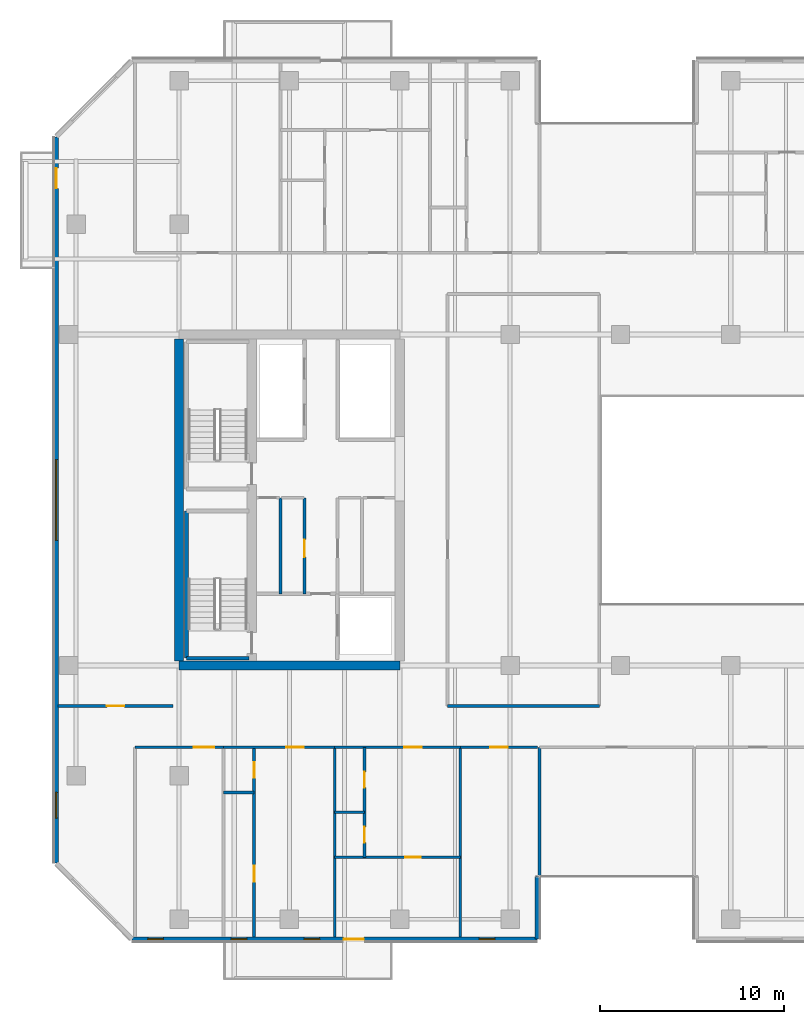
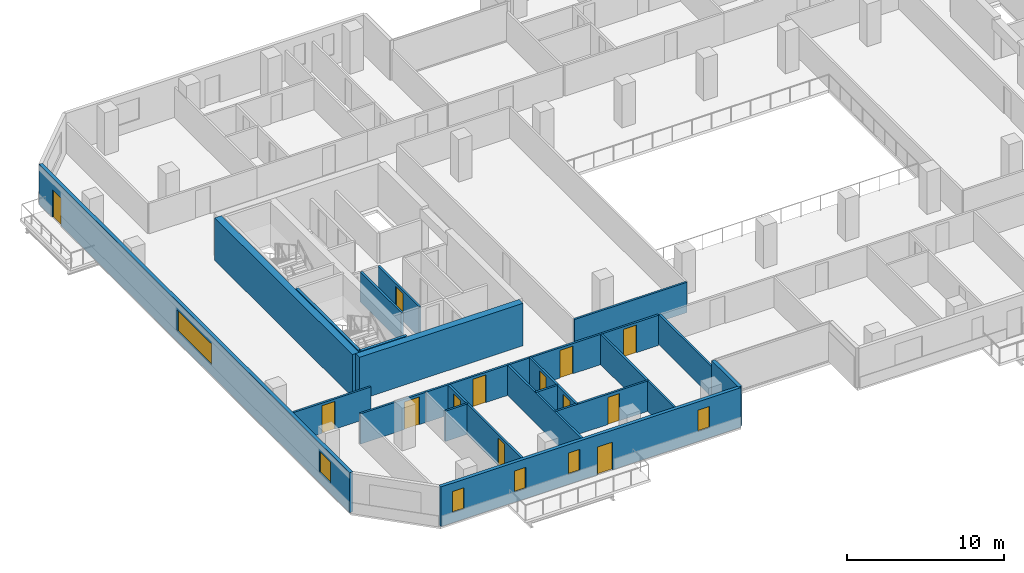
# One storey, part 10 of 23: 23 walls, 13 doors, 6 windows, 19 openings.
"""IFC4 building model written with IfcOpenShell, lengths in metres."""

from ifc_helpers import new_model, si_unit, direction, frame, frame_2d, origin, place, context, subcontext, project, spatial, rectangle, extrude, material, layer, layer_set, type_object, element, fill, save


model = new_model("IFC4")

# Units and contexts
model_context = context("Model", 3, precision=1e-05, world=origin(), true_north=direction((0.0, 1.0)))
body_context = subcontext(model_context, "Body", "Model", "MODEL_VIEW")
ifc_project = project(units=[si_unit("LENGTHUNIT", "METRE"), si_unit("AREAUNIT", "SQUARE_METRE"), si_unit("VOLUMEUNIT", "CUBIC_METRE"), si_unit("PLANEANGLEUNIT", "RADIAN"), si_unit("MASSUNIT", "GRAM", prefix="KILO")], contexts=[model_context])

# Site, building, storey
site_placement = place(None, origin())
site = spatial("IfcSite", under=ifc_project, at=site_placement, CompositionType="ELEMENT")
building_placement = place(site_placement, origin())
building = spatial("IfcBuilding", under=site, at=building_placement, Name="Tanjung Sevakor Pilgrim Tower", CompositionType="ELEMENT")
storey_placement = place(building_placement, frame((0.0, 0.0, 85.469970703125)))
storey = spatial("IfcBuildingStorey", under=building, at=storey_placement, Name="L23", CompositionType="ELEMENT", Elevation=85.469970703125)

# Walls
ifc_material_1 = material(Name="Concrete C60/75", Category="concrete")
ifc_layer_1 = layer(ifc_material_1, 0.5)
ifc_layer_set_1 = layer_set([ifc_layer_1], Name="WALL-CW-500")
wall_type_1 = type_object("IfcWallType", Name="WALL-CW-500", PredefinedType="SHEAR", material=ifc_layer_set_1)
wall_1_placement = place(storey_placement, frame((24.0, 24.60009765625, 0.0), z_axis=(0.0, 0.0, 1.0), x_axis=(1.0, 0.0, 0.0)))
element("IfcWall", 1, at=wall_1_placement, inside=storey, type_object=wall_type_1, Name="L23 W Core South Shear Wall", PredefinedType="SHEAR", context=body_context, shape_type="SweptSolid", body=[
    extrude(rectangle(XDim=12.0, YDim=0.5, at=frame_2d((6.0, 0.0))), origin(), (0.0, 0.0, 1.0), 3.300048828125),
])
wall_2_placement = place(storey_placement, frame((24.0, 24.85009765625, 0.0), z_axis=(0.0, 0.0, 1.0), x_axis=(0.0, 1.0, 0.0)))
element("IfcWall", 2, at=wall_2_placement, inside=storey, type_object=wall_type_1, Name="L23 W Core Outer Shear Wall", PredefinedType="SHEAR", context=body_context, shape_type="SweptSolid", body=[
    extrude(rectangle(XDim=17.5, YDim=0.5, at=frame_2d((8.75, 0.0))), origin(), (0.0, 0.0, 1.0), 3.300048828125),
])
ifc_material_2 = material(Name="Concrete C40/50", Category="concrete")
ifc_layer_2 = layer(ifc_material_2, 0.14990234375)
ifc_layer_set_2 = layer_set([ifc_layer_2], Name="WT-COMP-150")
wall_type_2 = type_object("IfcWallType", Name="WT-COMP-150", PredefinedType="SOLIDWALL", material=ifc_layer_set_2)
wall_3_placement = place(storey_placement, frame((29.52001953125, 28.5, 0.0), z_axis=(0.0, 0.0, 1.0), x_axis=(0.0, 1.0, 0.0)))
element("IfcWall", 3, at=wall_3_placement, inside=storey, type_object=wall_type_2, Name="L23 Partition IW-L23-003", PredefinedType="SOLIDWALL", context=body_context, shape_type="SweptSolid", body=[
    extrude(rectangle(XDim=5.219970703125, YDim=0.14990234375, at=frame_2d((2.60986328125, 0.0))), origin(), (0.0, 0.0, 1.0), 2.35009765625),
])

# Wall, opening, door
wall_4_placement = place(storey_placement, frame((30.820068359375, 28.5, 0.0), z_axis=(0.0, 0.0, 1.0), x_axis=(0.0, 1.0, 0.0)))
wall_4 = element("IfcWall", 4, at=wall_4_placement, inside=storey, type_object=wall_type_2, Name="L23 Partition IW-L23-006", PredefinedType="SOLIDWALL", context=body_context, shape_type="SweptSolid", body=[
    extrude(rectangle(XDim=5.219970703125, YDim=0.14990234375, at=frame_2d((2.60986328125, 0.0))), origin(), (0.0, 0.0, 1.0), 2.35009765625),
])
opening_1_placement = place(wall_4_placement, frame((2.0, 0.0, 0.0)))
opening_1 = element("IfcOpeningElement", 5, at=opening_1_placement, cuts=wall_4, Name="Opening ID-FD2", PredefinedType="OPENING", context=body_context, shape_type="SweptSolid", body=[
    extrude(rectangle(XDim=0.949951171875, YDim=2.14990234375, at=frame_2d((0.47509765625, 1.074951171875))), frame((0.0, 0.0849609375, 0.0), z_axis=(0.0, -1.0, 0.0), x_axis=(1.0, 0.0, 0.0)), (0.0, 0.0, 1.0), 0.169921875),
])
ifc_material_3 = material(Name="Fire-Rated Timber", Category="wood")
door_type_1 = type_object("IfcDoorType", Name="DT-FIRE-950", OperationType="NOTDEFINED", PredefinedType="DOOR", material=ifc_material_3)
door_1_placement = place(opening_1_placement, origin())
door_1 = element("IfcDoor", 6, at=door_1_placement, inside=storey, type_object=door_type_1, Name="L23 Housekeeping Pantry Door", OperationType="SINGLE_SWING_RIGHT", OverallHeight=2.14990234375, OverallWidth=0.949951171875, PredefinedType="DOOR", context=body_context, shape_type="SweptSolid", body=[
    extrude(rectangle(XDim=0.949951171875, YDim=2.14990234375, at=frame_2d((0.47509765625, 1.074951171875))), frame((0.0, 0.02490234375, 0.0), z_axis=(0.0, -1.0, 0.0), x_axis=(1.0, 0.0, 0.0)), (0.0, 0.0, 1.0), 0.050048828125),
])
fill(opening_1, door_1)

# Wall
wall_5_placement = place(storey_placement, frame((38.60009765625, 22.39990234375, 0.0), z_axis=(0.0, 0.0, 1.0), x_axis=(1.0, 0.0, 0.0)))
element("IfcWall", 7, at=wall_5_placement, inside=storey, type_object=wall_type_2, Name="L23 Partition IW-L23-029", PredefinedType="SOLIDWALL", context=body_context, shape_type="SweptSolid", body=[
    extrude(rectangle(XDim=8.25, YDim=0.14990234375, at=frame_2d((4.125, 0.0))), origin(), (0.0, 0.0, 1.0), 2.35009765625),
])

# Wall, opening, door
wall_6_placement = place(storey_placement, frame((17.409912109375, 22.39990234375, 0.0), z_axis=(0.0, 0.0, 1.0), x_axis=(1.0, 0.0, 0.0)))
wall_6 = element("IfcWall", 8, at=wall_6_placement, inside=storey, type_object=wall_type_2, Name="L23 Partition IW-L23-037", PredefinedType="SOLIDWALL", context=body_context, shape_type="SweptSolid", body=[
    extrude(rectangle(XDim=6.27001953125, YDim=0.14990234375, at=frame_2d((3.135009765625, 0.0))), origin(), (0.0, 0.0, 1.0), 2.35009765625),
])
opening_2_placement = place(wall_6_placement, frame((2.659912109375, 0.0, 0.0)))
opening_2 = element("IfcOpeningElement", 9, at=opening_2_placement, cuts=wall_6, Name="Opening ID-FD2", PredefinedType="OPENING", context=body_context, shape_type="SweptSolid", body=[
    extrude(rectangle(XDim=0.949951171875, YDim=2.14990234375, at=frame_2d((0.47509765625, 1.074951171875))), frame((0.0, 0.0849609375, 0.0), z_axis=(0.0, -1.0, 0.0), x_axis=(1.0, 0.0, 0.0)), (0.0, 0.0, 1.0), 0.169921875),
])
door_2_placement = place(opening_2_placement, origin())
door_2 = element("IfcDoor", 10, at=door_2_placement, inside=storey, type_object=door_type_1, Name="Study Room Entrance", OperationType="SINGLE_SWING_LEFT", OverallHeight=2.14990234375, OverallWidth=0.949951171875, PredefinedType="DOOR", context=body_context, shape_type="SweptSolid", body=[
    extrude(rectangle(XDim=0.949951171875, YDim=2.14990234375, at=frame_2d((0.47509765625, 1.074951171875))), frame((0.0, 0.02490234375, 0.0), z_axis=(0.0, -1.0, 0.0), x_axis=(1.0, 0.0, 0.0)), (0.0, 0.0, 1.0), 0.050048828125),
])
fill(opening_2, door_2)

# Wall
wall_7_placement = place(storey_placement, frame((43.60009765625, 9.85009765625, 0.0), z_axis=(0.0, 0.0, 1.0), x_axis=(0.0, 1.0, 0.0)))
element("IfcWall", 11, at=wall_7_placement, inside=storey, type_object=wall_type_2, Name="L23 Partition IW-L23-046", PredefinedType="SOLIDWALL", context=body_context, shape_type="SweptSolid", body=[
    extrude(rectangle(XDim=10.2998046875, YDim=0.14990234375, at=frame_2d((5.14990234375, 0.0))), origin(), (0.0, 0.0, 1.0), 2.35009765625),
])

# Wall, opening, door
wall_8_placement = place(storey_placement, frame((21.60009765625, 20.14990234375, 0.0), z_axis=(0.0, 0.0, 1.0), x_axis=(1.0, 0.0, 0.0)))
wall_8 = element("IfcWall", 12, at=wall_8_placement, inside=storey, type_object=wall_type_2, Name="L23 Partition IW-L23-053", PredefinedType="SOLIDWALL", context=body_context, shape_type="SweptSolid", body=[
    extrude(rectangle(XDim=4.810302734375, YDim=0.14990234375, at=frame_2d((2.4052734375, 0.0))), origin(), (0.0, 0.0, 1.0), 2.35009765625),
])
opening_3_placement = place(wall_8_placement, frame((3.205078125, 0.0, 0.0)))
opening_3 = element("IfcOpeningElement", 13, at=opening_3_placement, cuts=wall_8, Name="Opening ID-FD0", PredefinedType="OPENING", context=body_context, shape_type="SweptSolid", body=[
    extrude(rectangle(XDim=1.10009765625, YDim=2.14990234375, at=frame_2d((0.550048828125, 1.074951171875))), frame((0.0, 0.0849609375, 0.0), z_axis=(0.0, -1.0, 0.0), x_axis=(1.0, 0.0, 0.0)), (0.0, 0.0, 1.0), 0.169921875),
])
ifc_material_4 = material(Name="Fire-Rated Steel S355J2", Category="steel")
door_type_2 = type_object("IfcDoorType", Name="DT-FIRE-1100", OperationType="NOTDEFINED", PredefinedType="DOOR", material=ifc_material_4)
door_3_placement = place(opening_3_placement, origin())
door_3 = element("IfcDoor", 14, at=door_3_placement, inside=storey, type_object=door_type_2, Name="Communal Lounge Door", OperationType="SINGLE_SWING_LEFT", OverallHeight=2.14990234375, OverallWidth=1.10009765625, PredefinedType="DOOR", context=body_context, shape_type="SweptSolid", body=[
    extrude(rectangle(XDim=1.10009765625, YDim=2.14990234375, at=frame_2d((0.550048828125, 1.074951171875))), frame((0.0, 0.02490234375, 0.0), z_axis=(0.0, -1.0, 0.0), x_axis=(1.0, 0.0, 0.0)), (0.0, 0.0, 1.0), 0.050048828125),
])
fill(opening_3, door_3)

# Wall
wall_9_placement = place(storey_placement, frame((32.46240234375, 9.85009765625, 0.0), z_axis=(0.0, 0.0, 1.0), x_axis=(0.0, 1.0, 0.0)))
element("IfcWall", 15, at=wall_9_placement, inside=storey, type_object=wall_type_2, Name="L23 Partition IW-L23-054", PredefinedType="SOLIDWALL", context=body_context, shape_type="SweptSolid", body=[
    extrude(rectangle(XDim=10.2998046875, YDim=0.14990234375, at=frame_2d((5.14990234375, 0.0))), origin(), (0.0, 0.0, 1.0), 2.35009765625),
])

# Wall, opening, door
wall_10_placement = place(storey_placement, frame((26.410400390625, 20.14990234375, 0.0), z_axis=(0.0, 0.0, 1.0), x_axis=(1.0, 0.0, 0.0)))
wall_10 = element("IfcWall", 16, at=wall_10_placement, inside=storey, type_object=wall_type_2, Name="L23 Partition IW-L23-057", PredefinedType="SOLIDWALL", context=body_context, shape_type="SweptSolid", body=[
    extrude(rectangle(XDim=6.052001953125, YDim=0.14990234375, at=frame_2d((3.02587890625, 0.0))), origin(), (0.0, 0.0, 1.0), 2.35009765625),
])
opening_4_placement = place(wall_10_placement, frame((3.42578125, 0.0, 0.0)))
opening_4 = element("IfcOpeningElement", 17, at=opening_4_placement, cuts=wall_10, Name="Opening ID-FD2", PredefinedType="OPENING", context=body_context, shape_type="SweptSolid", body=[
    extrude(rectangle(XDim=0.949951171875, YDim=2.14990234375, at=frame_2d((0.47509765625, 1.074951171875))), frame((0.0, 0.0849609375, 0.0), z_axis=(0.0, -1.0, 0.0), x_axis=(1.0, 0.0, 0.0)), (0.0, 0.0, 1.0), 0.169921875),
])
door_4_placement = place(opening_4_placement, origin())
door_4 = element("IfcDoor", 18, at=door_4_placement, inside=storey, type_object=door_type_1, Name="Hostel Quad Entrance", OperationType="SINGLE_SWING_RIGHT", OverallHeight=2.14990234375, OverallWidth=0.949951171875, PredefinedType="DOOR", context=body_context, shape_type="SweptSolid", body=[
    extrude(rectangle(XDim=0.949951171875, YDim=2.14990234375, at=frame_2d((0.47509765625, 1.074951171875))), frame((0.0, 0.02490234375, 0.0), z_axis=(0.0, -1.0, 0.0), x_axis=(1.0, 0.0, 0.0)), (0.0, 0.0, 1.0), 0.050048828125),
])
fill(opening_4, door_4)

# Wall
wall_11_placement = place(storey_placement, frame((39.290283203125, 9.85009765625, 0.0), z_axis=(0.0, 0.0, 1.0), x_axis=(0.0, 1.0, 0.0)))
element("IfcWall", 19, at=wall_11_placement, inside=storey, type_object=wall_type_2, Name="L23 Partition IW-L23-058", PredefinedType="SOLIDWALL", context=body_context, shape_type="SweptSolid", body=[
    extrude(rectangle(XDim=10.2998046875, YDim=0.14990234375, at=frame_2d((5.14990234375, 0.0))), origin(), (0.0, 0.0, 1.0), 2.35009765625),
])

# Wall, opening, door
wall_12_placement = place(storey_placement, frame((32.46240234375, 20.14990234375, 0.0), z_axis=(0.0, 0.0, 1.0), x_axis=(1.0, 0.0, 0.0)))
wall_12 = element("IfcWall", 20, at=wall_12_placement, inside=storey, type_object=wall_type_2, Name="L23 Partition IW-L23-062", PredefinedType="SOLIDWALL", context=body_context, shape_type="SweptSolid", body=[
    extrude(rectangle(XDim=6.827880859375, YDim=0.14990234375, at=frame_2d((3.4140625, 0.0))), origin(), (0.0, 0.0, 1.0), 2.35009765625),
])
opening_5_placement = place(wall_12_placement, frame((3.78759765625, 0.0, 0.0)))
opening_5 = element("IfcOpeningElement", 21, at=opening_5_placement, cuts=wall_12, Name="Opening ID-FD2", PredefinedType="OPENING", context=body_context, shape_type="SweptSolid", body=[
    extrude(rectangle(XDim=0.949951171875, YDim=2.14990234375, at=frame_2d((0.47509765625, 1.074951171875))), frame((0.0, 0.0849609375, 0.0), z_axis=(0.0, -1.0, 0.0), x_axis=(1.0, 0.0, 0.0)), (0.0, 0.0, 1.0), 0.169921875),
])
door_5_placement = place(opening_5_placement, origin())
door_5 = element("IfcDoor", 22, at=door_5_placement, inside=storey, type_object=door_type_1, Name="Residence Entrance", OperationType="SINGLE_SWING_RIGHT", OverallHeight=2.14990234375, OverallWidth=0.949951171875, PredefinedType="DOOR", context=body_context, shape_type="SweptSolid", body=[
    extrude(rectangle(XDim=0.949951171875, YDim=2.14990234375, at=frame_2d((0.47509765625, 1.074951171875))), frame((0.0, 0.02490234375, 0.0), z_axis=(0.0, -1.0, 0.0), x_axis=(1.0, 0.0, 0.0)), (0.0, 0.0, 1.0), 0.050048828125),
])
fill(opening_5, door_5)

wall_13_placement = place(storey_placement, frame((39.290283203125, 20.14990234375, 0.0), z_axis=(0.0, 0.0, 1.0), x_axis=(1.0, 0.0, 0.0)))
wall_13 = element("IfcWall", 23, at=wall_13_placement, inside=storey, type_object=wall_type_2, Name="L23 Partition IW-L23-063", PredefinedType="SOLIDWALL", context=body_context, shape_type="SweptSolid", body=[
    extrude(rectangle(XDim=4.189697265625, YDim=0.14990234375, at=frame_2d((2.0947265625, 0.0))), origin(), (0.0, 0.0, 1.0), 2.35009765625),
])
opening_6_placement = place(wall_13_placement, frame((1.619873046875, 0.0, 0.0)))
opening_6 = element("IfcOpeningElement", 24, at=opening_6_placement, cuts=wall_13, Name="Opening ID-FD2", PredefinedType="OPENING", context=body_context, shape_type="SweptSolid", body=[
    extrude(rectangle(XDim=0.949951171875, YDim=2.14990234375, at=frame_2d((0.47509765625, 1.074951171875))), frame((0.0, 0.0849609375, 0.0), z_axis=(0.0, -1.0, 0.0), x_axis=(1.0, 0.0, 0.0)), (0.0, 0.0, 1.0), 0.169921875),
])
door_6_placement = place(opening_6_placement, origin())
door_6 = element("IfcDoor", 25, at=door_6_placement, inside=storey, type_object=door_type_1, Name="Study Room Entrance", OperationType="SINGLE_SWING_LEFT", OverallHeight=2.14990234375, OverallWidth=0.949951171875, PredefinedType="DOOR", context=body_context, shape_type="SweptSolid", body=[
    extrude(rectangle(XDim=0.949951171875, YDim=2.14990234375, at=frame_2d((0.47509765625, 1.074951171875))), frame((0.0, 0.02490234375, 0.0), z_axis=(0.0, -1.0, 0.0), x_axis=(1.0, 0.0, 0.0)), (0.0, 0.0, 1.0), 0.050048828125),
])
fill(opening_6, door_6)

# Wall, openings, door, windows
ifc_material_5 = material(Name="Precast concrete C45/55", Category="concrete")
ifc_layer_3 = layer(ifc_material_5, 0.25)
ifc_layer_set_3 = layer_set([ifc_layer_3], Name="WT-EW-STN3")
wall_type_3 = type_object("IfcWallType", Name="WT-EW-STN3", PredefinedType="SOLIDWALL", material=ifc_layer_set_3)
wall_14_placement = place(storey_placement, frame((21.451904296875, 9.72509765625, 0.0), z_axis=(0.0, 0.0, 1.0), x_axis=(1.0, 0.0, 0.0)))
wall_14 = element("IfcWall", 26, at=wall_14_placement, inside=storey, type_object=wall_type_3, Name="L23 MAIN Exterior Wall 1", PredefinedType="SOLIDWALL", context=body_context, shape_type="SweptSolid", body=[
    extrude(rectangle(XDim=22.023193359375, YDim=0.25, at=frame_2d((11.01171875, 0.0))), origin(), (0.0, 0.0, 1.0), 3.080078125),
])
opening_7_placement = place(wall_14_placement, frame((11.498291015625, 0.0, 0.0)))
opening_7 = element("IfcOpeningElement", 27, at=opening_7_placement, cuts=wall_14, Name="Opening ED-BAL-1100", PredefinedType="OPENING", context=body_context, shape_type="SweptSolid", body=[
    extrude(rectangle(XDim=1.10009765625, YDim=2.14990234375, at=frame_2d((0.550048828125, 1.074951171875))), frame((0.0, 0.135009765625, 0.0), z_axis=(0.0, -1.0, 0.0), x_axis=(1.0, 0.0, 0.0)), (0.0, 0.0, 1.0), 0.27001953125),
])
opening_8_placement = place(wall_14_placement, frame((0.848388671875, 0.0, 0.780029296875)))
opening_8 = element("IfcOpeningElement", 28, at=opening_8_placement, cuts=wall_14, Name="Opening WN-SLM", PredefinedType="OPENING", context=body_context, shape_type="SweptSolid", body=[
    extrude(rectangle(XDim=0.85009765625, YDim=1.64990234375, at=frame_2d((0.425048828125, 0.824951171875))), frame((0.0, 0.135009765625, 0.0), z_axis=(0.0, -1.0, 0.0), x_axis=(1.0, 0.0, 0.0)), (0.0, 0.0, 1.0), 0.27001953125),
])
opening_9_placement = place(wall_14_placement, frame((5.37841796875, 0.0, 0.780029296875)))
opening_9 = element("IfcOpeningElement", 29, at=opening_9_placement, cuts=wall_14, Name="Opening WN-SLM", PredefinedType="OPENING", context=body_context, shape_type="SweptSolid", body=[
    extrude(rectangle(XDim=0.85009765625, YDim=1.64990234375, at=frame_2d((0.425048828125, 0.824951171875))), frame((0.0, 0.135009765625, 0.0), z_axis=(0.0, -1.0, 0.0), x_axis=(1.0, 0.0, 0.0)), (0.0, 0.0, 1.0), 0.27001953125),
])
opening_10_placement = place(wall_14_placement, frame((9.344482421875, 0.0, 0.780029296875)))
opening_10 = element("IfcOpeningElement", 30, at=opening_10_placement, cuts=wall_14, Name="Opening WN-SLM", PredefinedType="OPENING", context=body_context, shape_type="SweptSolid", body=[
    extrude(rectangle(XDim=0.85009765625, YDim=1.64990234375, at=frame_2d((0.425048828125, 0.824951171875))), frame((0.0, 0.135009765625, 0.0), z_axis=(0.0, -1.0, 0.0), x_axis=(1.0, 0.0, 0.0)), (0.0, 0.0, 1.0), 0.27001953125),
])
opening_11_placement = place(wall_14_placement, frame((18.868408203125, 0.0, 0.780029296875)))
opening_11 = element("IfcOpeningElement", 31, at=opening_11_placement, cuts=wall_14, Name="Opening WN-SLM", PredefinedType="OPENING", context=body_context, shape_type="SweptSolid", body=[
    extrude(rectangle(XDim=0.85009765625, YDim=1.64990234375, at=frame_2d((0.425048828125, 0.824951171875))), frame((0.0, 0.135009765625, 0.0), z_axis=(0.0, -1.0, 0.0), x_axis=(1.0, 0.0, 0.0)), (0.0, 0.0, 1.0), 0.27001953125),
])
ifc_material_6 = material(Name="Anodised Aluminium and Laminated Glass", Category="aluminium")
door_type_3 = type_object("IfcDoorType", Name="DTYP-ED-BAL-1100", OperationType="NOTDEFINED", PredefinedType="DOOR", material=ifc_material_6)
door_7_placement = place(opening_7_placement, frame((1.10009765625, 0.0, 0.0), z_axis=(0.0, 0.0, 1.0), x_axis=(-1.0, 0.0, 0.0)))
door_7 = element("IfcDoor", 32, at=door_7_placement, inside=storey, type_object=door_type_3, Name="L23 Balcony Door MAIN-S1", OperationType="SINGLE_SWING_RIGHT", OverallHeight=2.14990234375, OverallWidth=1.10009765625, PredefinedType="DOOR", context=body_context, shape_type="SweptSolid", body=[
    extrude(rectangle(XDim=1.10009765625, YDim=2.14990234375, at=frame_2d((0.550048828125, 1.074951171875))), frame((0.0, 0.02490234375, 0.0), z_axis=(0.0, -1.0, 0.0), x_axis=(1.0, 0.0, 0.0)), (0.0, 0.0, 1.0), 0.050048828125),
])
fill(opening_7, door_7)
ifc_material_7 = material(Name="Thermally Broken Aluminium and Low-E Glass", Category="aluminium")
window_type_1 = type_object("IfcWindowType", Name="WTYP-WN-SLM", PartitioningType="SINGLE_PANEL", PredefinedType="WINDOW", material=ifc_material_7)
window_1_placement = place(opening_8_placement, origin())
window_1 = element("IfcWindow", 33, at=window_1_placement, inside=storey, type_object=window_type_1, Name="L23 Facade Window 01", OverallHeight=1.64990234375, OverallWidth=0.85009765625, PartitioningType="SINGLE_PANEL", PredefinedType="WINDOW", context=body_context, shape_type="SweptSolid", body=[
    extrude(rectangle(XDim=0.85009765625, YDim=1.64990234375, at=frame_2d((0.425048828125, 0.824951171875))), frame((0.0, 0.030029296875, 0.0), z_axis=(0.0, -1.0, 0.0), x_axis=(1.0, 0.0, 0.0)), (0.0, 0.0, 1.0), 0.06005859375),
])
fill(opening_8, window_1)
window_2_placement = place(opening_9_placement, origin())
window_2 = element("IfcWindow", 34, at=window_2_placement, inside=storey, type_object=window_type_1, Name="L23 Facade Window 02", OverallHeight=1.64990234375, OverallWidth=0.85009765625, PartitioningType="SINGLE_PANEL", PredefinedType="WINDOW", context=body_context, shape_type="SweptSolid", body=[
    extrude(rectangle(XDim=0.85009765625, YDim=1.64990234375, at=frame_2d((0.425048828125, 0.824951171875))), frame((0.0, 0.030029296875, 0.0), z_axis=(0.0, -1.0, 0.0), x_axis=(1.0, 0.0, 0.0)), (0.0, 0.0, 1.0), 0.06005859375),
])
fill(opening_9, window_2)
window_3_placement = place(opening_10_placement, origin())
window_3 = element("IfcWindow", 35, at=window_3_placement, inside=storey, type_object=window_type_1, Name="L23 Facade Window 03", OverallHeight=1.64990234375, OverallWidth=0.85009765625, PartitioningType="SINGLE_PANEL", PredefinedType="WINDOW", context=body_context, shape_type="SweptSolid", body=[
    extrude(rectangle(XDim=0.85009765625, YDim=1.64990234375, at=frame_2d((0.425048828125, 0.824951171875))), frame((0.0, 0.030029296875, 0.0), z_axis=(0.0, -1.0, 0.0), x_axis=(1.0, 0.0, 0.0)), (0.0, 0.0, 1.0), 0.06005859375),
])
fill(opening_10, window_3)
window_4_placement = place(opening_11_placement, origin())
window_4 = element("IfcWindow", 36, at=window_4_placement, inside=storey, type_object=window_type_1, Name="L23 Facade Window 04", OverallHeight=1.64990234375, OverallWidth=0.85009765625, PartitioningType="SINGLE_PANEL", PredefinedType="WINDOW", context=body_context, shape_type="SweptSolid", body=[
    extrude(rectangle(XDim=0.85009765625, YDim=1.64990234375, at=frame_2d((0.425048828125, 0.824951171875))), frame((0.0, 0.030029296875, 0.0), z_axis=(0.0, -1.0, 0.0), x_axis=(1.0, 0.0, 0.0)), (0.0, 0.0, 1.0), 0.06005859375),
])
fill(opening_11, window_4)

# Wall
wall_15_placement = place(storey_placement, frame((43.47509765625, 9.72509765625, 0.0), z_axis=(0.0, 0.0, 1.0), x_axis=(0.0, 1.0, 0.0)))
element("IfcWall", 37, at=wall_15_placement, inside=storey, type_object=wall_type_3, Name="L23 MAIN Exterior Wall 2", PredefinedType="SOLIDWALL", context=body_context, shape_type="SweptSolid", body=[
    extrude(rectangle(XDim=3.39990234375, YDim=0.25, at=frame_2d((1.699951171875, 0.0))), origin(), (0.0, 0.0, 1.0), 3.080078125),
])

# Wall, openings, door, windows
wall_16_placement = place(storey_placement, frame((17.324951171875, 53.34814453125, 0.0), z_axis=(0.0, 0.0, 1.0), x_axis=(0.0, -1.0, 0.0)))
wall_16 = element("IfcWall", 38, at=wall_16_placement, inside=storey, type_object=wall_type_3, Name="L23 MAIN Exterior Wall 15", PredefinedType="SOLIDWALL", context=body_context, shape_type="SweptSolid", body=[
    extrude(rectangle(XDim=39.496337890625, YDim=0.25, at=frame_2d((19.748046875, 0.0))), origin(), (0.0, 0.0, 1.0), 3.080078125),
])
opening_12_placement = place(wall_16_placement, frame((1.6982421875, 0.0, 0.0)))
opening_12 = element("IfcOpeningElement", 39, at=opening_12_placement, cuts=wall_16, Name="Opening ED-BAL-1100", PredefinedType="OPENING", context=body_context, shape_type="SweptSolid", body=[
    extrude(rectangle(XDim=1.10009765625, YDim=2.14990234375, at=frame_2d((0.550048828125, 1.074951171875))), frame((0.0, 0.135009765625, 0.0), z_axis=(0.0, -1.0, 0.0), x_axis=(1.0, 0.0, 0.0)), (0.0, 0.0, 1.0), 0.27001953125),
])
opening_13_placement = place(wall_16_placement, frame((17.548095703125, 0.0, 0.780029296875)))
opening_13 = element("IfcOpeningElement", 40, at=opening_13_placement, cuts=wall_16, Name="Opening WN-ENDW-1660", PredefinedType="OPENING", context=body_context, shape_type="SweptSolid", body=[
    extrude(rectangle(XDim=4.39990234375, YDim=1.659912109375, at=frame_2d((2.199951171875, 0.830078125))), frame((0.0, 0.135009765625, 0.0), z_axis=(0.0, -1.0, 0.0), x_axis=(1.0, 0.0, 0.0)), (0.0, 0.0, 1.0), 0.27001953125),
])
opening_14_placement = place(wall_16_placement, frame((35.642333984375, 0.0, 0.780029296875)))
opening_14 = element("IfcOpeningElement", 41, at=opening_14_placement, cuts=wall_16, Name="Opening WN-END", PredefinedType="OPENING", context=body_context, shape_type="SweptSolid", body=[
    extrude(rectangle(XDim=1.39990234375, YDim=1.64990234375, at=frame_2d((0.699951171875, 0.824951171875))), frame((0.0, 0.135009765625, 0.0), z_axis=(0.0, -1.0, 0.0), x_axis=(1.0, 0.0, 0.0)), (0.0, 0.0, 1.0), 0.27001953125),
])
door_8_placement = place(opening_12_placement, frame((1.10009765625, 0.0, 0.0), z_axis=(0.0, 0.0, 1.0), x_axis=(-1.0, 0.0, 0.0)))
door_8 = element("IfcDoor", 42, at=door_8_placement, inside=storey, type_object=door_type_3, Name="L23 West Loggia Door MAIN-W1", OperationType="SINGLE_SWING_LEFT", OverallHeight=2.14990234375, OverallWidth=1.10009765625, PredefinedType="DOOR", context=body_context, shape_type="SweptSolid", body=[
    extrude(rectangle(XDim=1.10009765625, YDim=2.14990234375, at=frame_2d((0.550048828125, 1.074951171875))), frame((0.0, 0.02490234375, 0.0), z_axis=(0.0, -1.0, 0.0), x_axis=(1.0, 0.0, 0.0)), (0.0, 0.0, 1.0), 0.050048828125),
])
fill(opening_12, door_8)
ifc_material_8 = material(Name="Thermally Broken Aluminium and Low-E Glass", Category="aluminium")
window_type_2 = type_object("IfcWindowType", Name="WTYP-WN-END", PartitioningType="SINGLE_PANEL", PredefinedType="WINDOW", material=ifc_material_8)
window_5_placement = place(opening_14_placement, origin())
window_5 = element("IfcWindow", 43, at=window_5_placement, inside=storey, type_object=window_type_2, Name="L23 Facade Window 02", OverallHeight=1.64990234375, OverallWidth=1.39990234375, PartitioningType="SINGLE_PANEL", PredefinedType="WINDOW", context=body_context, shape_type="SweptSolid", body=[
    extrude(rectangle(XDim=1.39990234375, YDim=1.64990234375, at=frame_2d((0.699951171875, 0.824951171875))), frame((0.0, 0.030029296875, 0.0), z_axis=(0.0, -1.0, 0.0), x_axis=(1.0, 0.0, 0.0)), (0.0, 0.0, 1.0), 0.06005859375),
])
fill(opening_14, window_5)
ifc_material_9 = material(Name="Thermally Broken Aluminium and Low-E Glass", Category="aluminium")
window_type_3 = type_object("IfcWindowType", Name="WTYP-WN-ENDW-1660", PartitioningType="DOUBLE_PANEL_VERTICAL", PredefinedType="WINDOW", material=ifc_material_9)
window_6_placement = place(opening_13_placement, origin())
window_6 = element("IfcWindow", 44, at=window_6_placement, inside=storey, type_object=window_type_3, Name="L23 Facade Window 01", OverallHeight=1.659912109375, OverallWidth=4.39990234375, PartitioningType="SINGLE_PANEL", PredefinedType="WINDOW", context=body_context, shape_type="SweptSolid", body=[
    extrude(rectangle(XDim=4.39990234375, YDim=1.659912109375, at=frame_2d((2.199951171875, 0.830078125))), frame((0.0, 0.030029296875, 0.0), z_axis=(0.0, -1.0, 0.0), x_axis=(1.0, 0.0, 0.0)), (0.0, 0.0, 1.0), 0.06005859375),
])
fill(opening_13, window_6)

# Walls
ifc_material_10 = material(Name="Concrete C40/50", Category="concrete")
ifc_layer_4 = layer(ifc_material_10, 0.199951171875)
ifc_layer_set_4 = layer_set([ifc_layer_4], Name="WT-FIRE-200")
wall_type_4 = type_object("IfcWallType", Name="WT-FIRE-200", PredefinedType="SOLIDWALL", material=ifc_layer_set_4)
wall_17_placement = place(storey_placement, frame((24.39990234375, 25.0, 0.0), z_axis=(0.0, 0.0, 1.0), x_axis=(1.0, 0.0, 0.0)))
element("IfcWall", 45, at=wall_17_placement, inside=storey, type_object=wall_type_4, Name="L23 TS-W1 Shaft Wall 1", PredefinedType="SOLIDWALL", context=body_context, shape_type="SweptSolid", body=[
    extrude(rectangle(XDim=3.400146484375, YDim=0.199951171875, at=frame_2d((1.7001953125, 0.0))), origin(), (0.0, 0.0, 1.0), 3.300048828125),
])
wall_18_placement = place(storey_placement, frame((24.39990234375, 33.0, 0.0), z_axis=(0.0, 0.0, 1.0), x_axis=(0.0, -1.0, 0.0)))
element("IfcWall", 46, at=wall_18_placement, inside=storey, type_object=wall_type_4, Name="L23 TS-W1 Shaft Wall 3", PredefinedType="SOLIDWALL", context=body_context, shape_type="SweptSolid", body=[
    extrude(rectangle(XDim=8.0, YDim=0.199951171875, at=frame_2d((4.0, 0.0))), origin(), (0.0, 0.0, 1.0), 3.300048828125),
])
ifc_material_11 = material(Name="Gypsum Board Partition", Category="gypsum board")
ifc_layer_5 = layer(ifc_material_11, 0.14990234375)
ifc_layer_set_5 = layer_set([ifc_layer_5], Name="WT-PART-150")
wall_type_5 = type_object("IfcWallType", Name="WT-PART-150", PredefinedType="PARTITIONING", material=ifc_layer_set_5)
wall_19_placement = place(storey_placement, frame((26.410400390625, 17.699951171875, 0.0), z_axis=(0.0, 0.0, 1.0), x_axis=(1.0, 0.0, 0.0)))
element("IfcWall", 47, at=wall_19_placement, inside=storey, type_object=wall_type_5, Name="L23 Partition IW-L23-055", PredefinedType="PARTITIONING", context=body_context, shape_type="SweptSolid", body=[
    extrude(rectangle(XDim=1.669677734375, YDim=0.14990234375, at=frame_2d((0.8349609375, 0.0))), origin(), (0.0, 0.0, 1.0), 2.35009765625),
])

# Wall, openings, doors
wall_20_placement = place(storey_placement, frame((28.080078125, 9.85009765625, 0.0), z_axis=(0.0, 0.0, 1.0), x_axis=(0.0, 1.0, 0.0)))
wall_20 = element("IfcWall", 48, at=wall_20_placement, inside=storey, type_object=wall_type_5, Name="L23 Partition IW-L23-056", PredefinedType="PARTITIONING", context=body_context, shape_type="SweptSolid", body=[
    extrude(rectangle(XDim=10.2998046875, YDim=0.14990234375, at=frame_2d((5.14990234375, 0.0))), origin(), (0.0, 0.0, 1.0), 2.35009765625),
])
opening_15_placement = place(wall_20_placement, frame((3.0, 0.0, 0.0)))
opening_15 = element("IfcOpeningElement", 49, at=opening_15_placement, cuts=wall_20, Name="Opening ID-WC1", PredefinedType="OPENING", context=body_context, shape_type="SweptSolid", body=[
    extrude(rectangle(XDim=0.85009765625, YDim=2.10009765625, at=frame_2d((0.425048828125, 1.050048828125))), frame((0.0, 0.0849609375, 0.0), z_axis=(0.0, -1.0, 0.0), x_axis=(1.0, 0.0, 0.0)), (0.0, 0.0, 1.0), 0.169921875),
])
opening_16_placement = place(wall_20_placement, frame((8.64990234375, 0.0, 0.0)))
opening_16 = element("IfcOpeningElement", 50, at=opening_16_placement, cuts=wall_20, Name="Opening ID-WC1", PredefinedType="OPENING", context=body_context, shape_type="SweptSolid", body=[
    extrude(rectangle(XDim=0.85009765625, YDim=2.10009765625, at=frame_2d((0.425048828125, 1.050048828125))), frame((0.0, 0.0849609375, 0.0), z_axis=(0.0, -1.0, 0.0), x_axis=(1.0, 0.0, 0.0)), (0.0, 0.0, 1.0), 0.169921875),
])
ifc_material_12 = material(Name="Moisture-Resistant Timber", Category="wood")
door_type_4 = type_object("IfcDoorType", Name="DT-INT-850", OperationType="NOTDEFINED", PredefinedType="DOOR", material=ifc_material_12)
door_9_placement = place(opening_15_placement, origin())
door_9 = element("IfcDoor", 51, at=door_9_placement, inside=storey, type_object=door_type_4, Name="Study Nook Door", OperationType="SINGLE_SWING_RIGHT", OverallHeight=2.10009765625, OverallWidth=0.85009765625, PredefinedType="DOOR", context=body_context, shape_type="SweptSolid", body=[
    extrude(rectangle(XDim=0.85009765625, YDim=2.10009765625, at=frame_2d((0.425048828125, 1.050048828125))), frame((0.0, 0.02490234375, 0.0), z_axis=(0.0, -1.0, 0.0), x_axis=(1.0, 0.0, 0.0)), (0.0, 0.0, 1.0), 0.050048828125),
])
fill(opening_15, door_9)
door_10_placement = place(opening_16_placement, origin())
door_10 = element("IfcDoor", 52, at=door_10_placement, inside=storey, type_object=door_type_4, Name="Bathroom Door", OperationType="SINGLE_SWING_LEFT", OverallHeight=2.10009765625, OverallWidth=0.85009765625, PredefinedType="DOOR", context=body_context, shape_type="SweptSolid", body=[
    extrude(rectangle(XDim=0.85009765625, YDim=2.10009765625, at=frame_2d((0.425048828125, 1.050048828125))), frame((0.0, 0.02490234375, 0.0), z_axis=(0.0, -1.0, 0.0), x_axis=(1.0, 0.0, 0.0)), (0.0, 0.0, 1.0), 0.050048828125),
])
fill(opening_16, door_10)

# Wall
wall_21_placement = place(storey_placement, frame((32.46240234375, 16.622314453125, 0.0), z_axis=(0.0, 0.0, 1.0), x_axis=(1.0, 0.0, 0.0)))
element("IfcWall", 53, at=wall_21_placement, inside=storey, type_object=wall_type_5, Name="L23 Partition IW-L23-059", PredefinedType="PARTITIONING", context=body_context, shape_type="SweptSolid", body=[
    extrude(rectangle(XDim=1.61767578125, YDim=0.14990234375, at=frame_2d((0.808837890625, 0.0))), origin(), (0.0, 0.0, 1.0), 2.35009765625),
])

# Wall, openings, doors
wall_22_placement = place(storey_placement, frame((34.080078125, 14.170654296875, 0.0), z_axis=(0.0, 0.0, 1.0), x_axis=(0.0, 1.0, 0.0)))
wall_22 = element("IfcWall", 54, at=wall_22_placement, inside=storey, type_object=wall_type_5, Name="L23 Partition IW-L23-060", PredefinedType="PARTITIONING", context=body_context, shape_type="SweptSolid", body=[
    extrude(rectangle(XDim=5.979248046875, YDim=0.14990234375, at=frame_2d((2.98974609375, 0.0))), origin(), (0.0, 0.0, 1.0), 2.35009765625),
])
opening_17_placement = place(wall_22_placement, frame((0.80078125, 0.0, 0.0)))
opening_17 = element("IfcOpeningElement", 55, at=opening_17_placement, cuts=wall_22, Name="Opening ID-WC1", PredefinedType="OPENING", context=body_context, shape_type="SweptSolid", body=[
    extrude(rectangle(XDim=0.85009765625, YDim=2.10009765625, at=frame_2d((0.425048828125, 1.050048828125))), frame((0.0, 0.0849609375, 0.0), z_axis=(0.0, -1.0, 0.0), x_axis=(1.0, 0.0, 0.0)), (0.0, 0.0, 1.0), 0.169921875),
])
opening_18_placement = place(wall_22_placement, frame((3.79052734375, 0.0, 0.0)))
opening_18 = element("IfcOpeningElement", 56, at=opening_18_placement, cuts=wall_22, Name="Opening ID-WC1", PredefinedType="OPENING", context=body_context, shape_type="SweptSolid", body=[
    extrude(rectangle(XDim=0.85009765625, YDim=2.10009765625, at=frame_2d((0.425048828125, 1.050048828125))), frame((0.0, 0.0849609375, 0.0), z_axis=(0.0, -1.0, 0.0), x_axis=(1.0, 0.0, 0.0)), (0.0, 0.0, 1.0), 0.169921875),
])
door_11_placement = place(opening_17_placement, origin())
door_11 = element("IfcDoor", 57, at=door_11_placement, inside=storey, type_object=door_type_4, Name="Residence Bathroom Door", OperationType="SINGLE_SWING_LEFT", OverallHeight=2.10009765625, OverallWidth=0.85009765625, PredefinedType="DOOR", context=body_context, shape_type="SweptSolid", body=[
    extrude(rectangle(XDim=0.85009765625, YDim=2.10009765625, at=frame_2d((0.425048828125, 1.050048828125))), frame((0.0, 0.02490234375, 0.0), z_axis=(0.0, -1.0, 0.0), x_axis=(1.0, 0.0, 0.0)), (0.0, 0.0, 1.0), 0.050048828125),
])
fill(opening_17, door_11)
door_12_placement = place(opening_18_placement, origin())
door_12 = element("IfcDoor", 58, at=door_12_placement, inside=storey, type_object=door_type_4, Name="Residence Kitchenette Door", OperationType="SINGLE_SWING_RIGHT", OverallHeight=2.10009765625, OverallWidth=0.85009765625, PredefinedType="DOOR", context=body_context, shape_type="SweptSolid", body=[
    extrude(rectangle(XDim=0.85009765625, YDim=2.10009765625, at=frame_2d((0.425048828125, 1.050048828125))), frame((0.0, 0.02490234375, 0.0), z_axis=(0.0, -1.0, 0.0), x_axis=(1.0, 0.0, 0.0)), (0.0, 0.0, 1.0), 0.050048828125),
])
fill(opening_18, door_12)

# Wall, opening, door
wall_23_placement = place(storey_placement, frame((32.46240234375, 14.170654296875, 0.0), z_axis=(0.0, 0.0, 1.0), x_axis=(1.0, 0.0, 0.0)))
wall_23 = element("IfcWall", 59, at=wall_23_placement, inside=storey, type_object=wall_type_5, Name="L23 Partition IW-L23-061", PredefinedType="PARTITIONING", context=body_context, shape_type="SweptSolid", body=[
    extrude(rectangle(XDim=6.827880859375, YDim=0.14990234375, at=frame_2d((3.4140625, 0.0))), origin(), (0.0, 0.0, 1.0), 2.35009765625),
])
opening_19_placement = place(wall_23_placement, frame((3.837646484375, 0.0, 0.0)))
opening_19 = element("IfcOpeningElement", 60, at=opening_19_placement, cuts=wall_23, Name="Opening ID-WC1", PredefinedType="OPENING", context=body_context, shape_type="SweptSolid", body=[
    extrude(rectangle(XDim=0.85009765625, YDim=2.10009765625, at=frame_2d((0.425048828125, 1.050048828125))), frame((0.0, 0.0849609375, 0.0), z_axis=(0.0, -1.0, 0.0), x_axis=(1.0, 0.0, 0.0)), (0.0, 0.0, 1.0), 0.169921875),
])
door_13_placement = place(opening_19_placement, origin())
door_13 = element("IfcDoor", 61, at=door_13_placement, inside=storey, type_object=door_type_4, Name="Residence Bedroom Door", OperationType="SINGLE_SWING_LEFT", OverallHeight=2.10009765625, OverallWidth=0.85009765625, PredefinedType="DOOR", context=body_context, shape_type="SweptSolid", body=[
    extrude(rectangle(XDim=0.85009765625, YDim=2.10009765625, at=frame_2d((0.425048828125, 1.050048828125))), frame((0.0, 0.02490234375, 0.0), z_axis=(0.0, -1.0, 0.0), x_axis=(1.0, 0.0, 0.0)), (0.0, 0.0, 1.0), 0.050048828125),
])
fill(opening_19, door_13)

save(model, "model.ifc")
